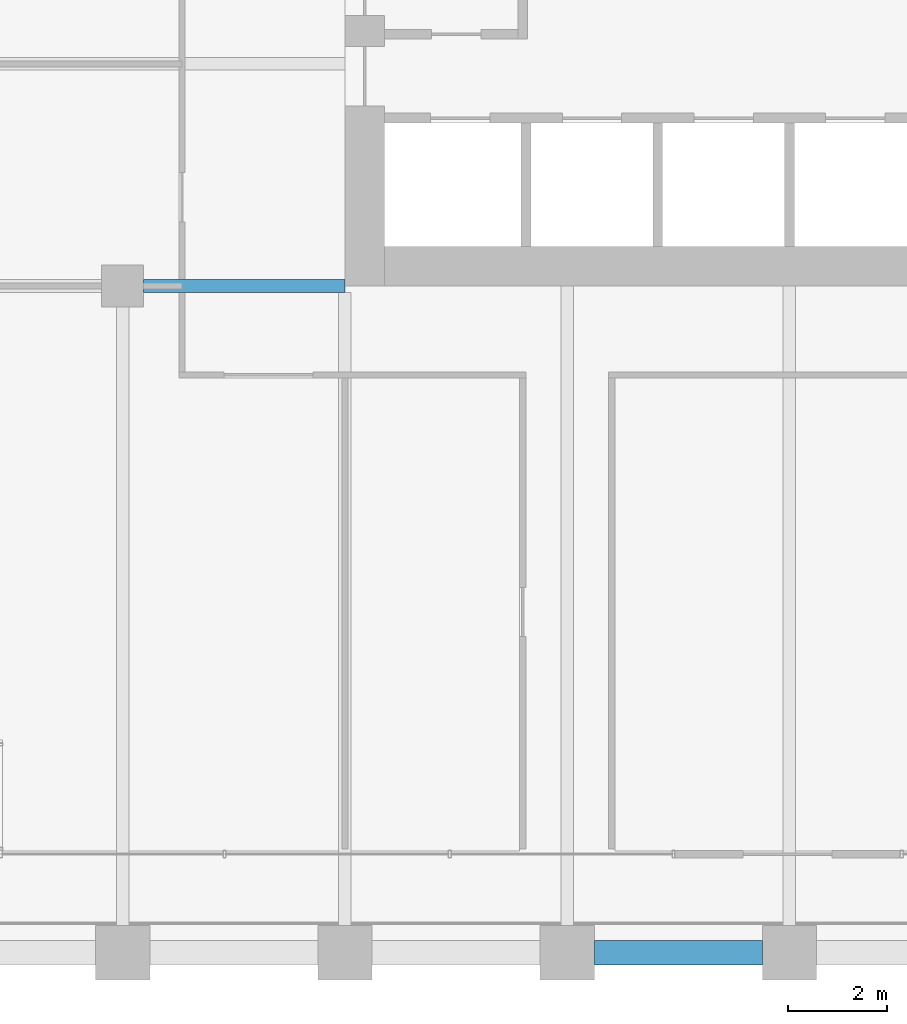
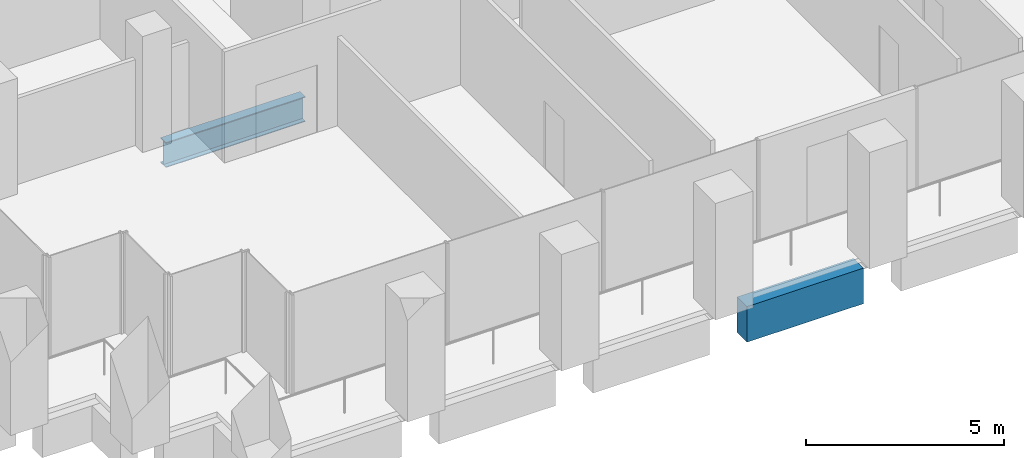
# One storey, part 6 of 56: 2 beams.
"""IFC4 building model written with IfcOpenShell, lengths in metres."""

from ifc_helpers import new_model, si_unit, direction, frame, origin, origin_2d, place, context, subcontext, project, spatial, rectangle, i_section, extrude, material, material_profile, profile_set, type_object, element, save


model = new_model("IFC4")

# Units and contexts
model_context = context("Model", 3, precision=1e-05, world=origin(), true_north=direction((0.0, 1.0)))
body_context = subcontext(model_context, "Body", "Model", "MODEL_VIEW")
ifc_project = project(units=[si_unit("LENGTHUNIT", "METRE"), si_unit("AREAUNIT", "SQUARE_METRE"), si_unit("VOLUMEUNIT", "CUBIC_METRE"), si_unit("PLANEANGLEUNIT", "RADIAN"), si_unit("MASSUNIT", "GRAM", prefix="KILO")], contexts=[model_context])

# Site, building, storey
site_placement = place(None, origin())
site = spatial("IfcSite", under=ifc_project, at=site_placement, CompositionType="ELEMENT")
building_placement = place(site_placement, origin())
building = spatial("IfcBuilding", under=site, at=building_placement, Name="Altepetl Exchange Towers", CompositionType="ELEMENT")
storey_placement = place(building_placement, frame((0.0, 0.0, 76.199951171875)))
storey = spatial("IfcBuildingStorey", under=building, at=storey_placement, Name="L18", CompositionType="ELEMENT", Elevation=76.199951171875)

# Beams
ifc_material_1 = material(Name="Steel S355", Category="steel")
ifc_material_profile_1 = material_profile(ifc_material_1, i_section(OverallWidth=0.26806640625, OverallDepth=0.77392578125, WebThickness=0.015380859375, FlangeThickness=0.025390625, at=origin_2d()), Name="W30X132")
ifc_profile_set_1 = profile_set([ifc_material_profile_1], Name="Steel S355")
beam_type_1 = type_object("IfcBeamType", Name="Girder W30X132", PredefinedType="BEAM", material=ifc_profile_set_1)
beam_1_placement = place(storey_placement, frame((40.5, 40.5, -0.536865234375), z_axis=(-1.0, 0.0, 0.0), x_axis=(0.0, -1.0, 0.0)))
element("IfcBeam", 1, at=beam_1_placement, inside=storey, type_object=beam_type_1, Name="gd:A:L18:009", PredefinedType="BEAM", context=body_context, shape_type="SweptSolid", body=[
    extrude(i_section(OverallWidth=0.26806640625, OverallDepth=0.77392578125, WebThickness=0.015380859375, FlangeThickness=0.025390625, at=origin_2d()), origin(), (0.0, 0.0, 1.0), 4.074951171875),
])
ifc_material_2 = material(Name="Concrete C50/60 precast with cantera blanca facing", Category="concrete")
ifc_material_profile_2 = material_profile(ifc_material_2, rectangle(XDim=0.5, YDim=1.10009765625, at=origin_2d()), Name="500 x 1100")
ifc_profile_set_2 = profile_set([ifc_material_profile_2], Name="Concrete C50/60 precast with cantera blanca facing")
beam_type_2 = type_object("IfcBeamType", Name="Spandrel beam 500x1100 cantera blanca", PredefinedType="SPANDREL", material=ifc_profile_set_2)
beam_2_placement = place(storey_placement, frame((45.550048828125, 27.0, -0.699951171875), z_axis=(1.0, 0.0, 0.0), x_axis=(0.0, 1.0, 0.0)))
element("IfcBeam", 2, at=beam_2_placement, inside=storey, type_object=beam_type_2, Name="sp:A:L18:003", PredefinedType="SPANDREL", context=body_context, shape_type="SweptSolid", body=[
    extrude(rectangle(XDim=0.5, YDim=1.10009765625, at=origin_2d()), origin(), (0.0, 0.0, 1.0), 3.39990234375),
])

save(model, "model.ifc")
